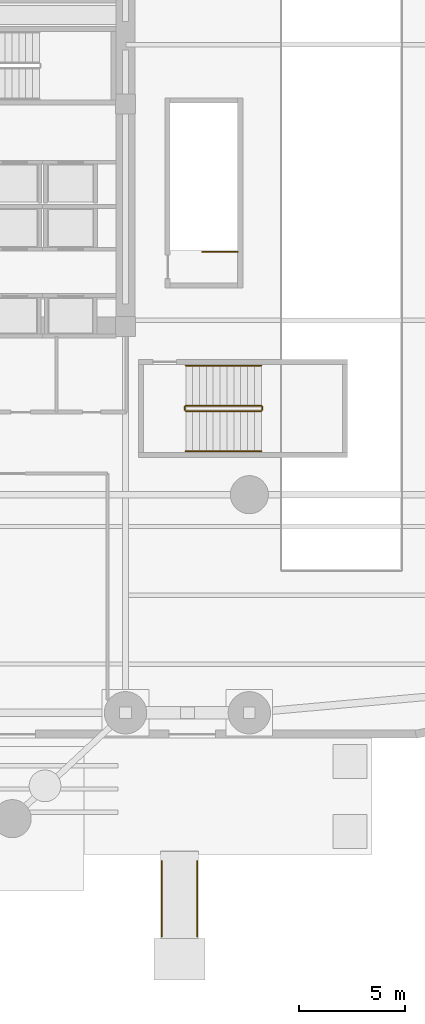
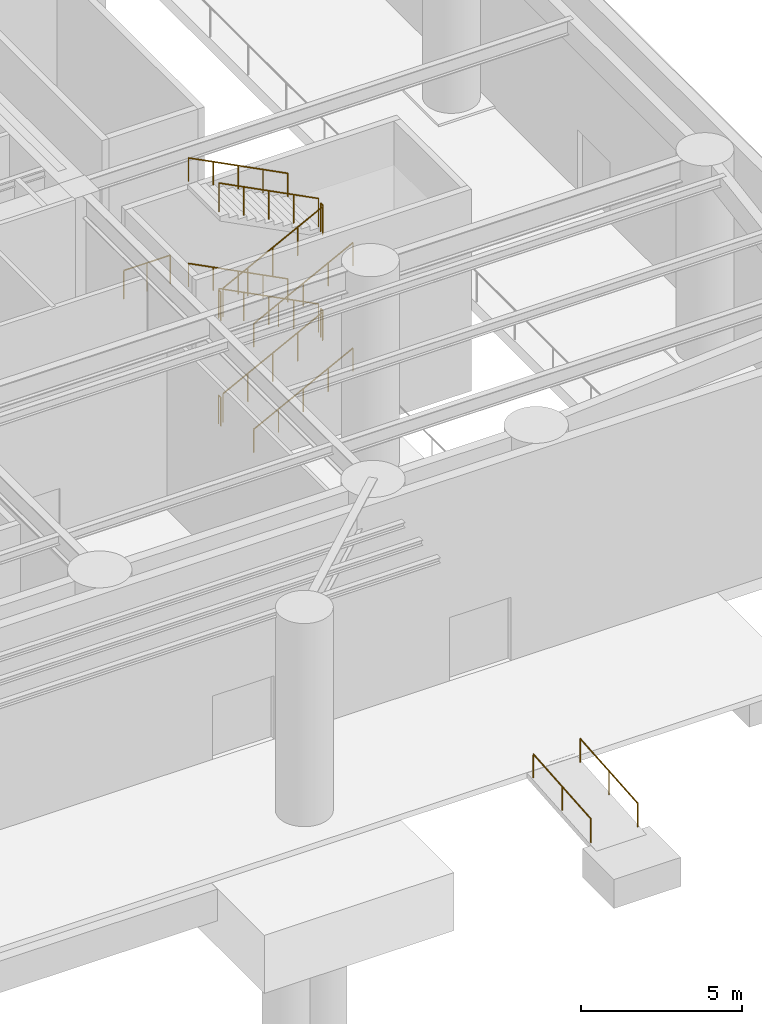
# One storey, part 21 of 25: 15 railings.
"""IFC4 building model written with IfcOpenShell, lengths in metres."""

from ifc_helpers import new_model, si_unit, direction, frame, origin, origin_2d, place, context, subcontext, project, spatial, circle, extrude, material, type_object, element, save


model = new_model("IFC4")

# Units and contexts
model_context = context("Model", 3, precision=1e-05, world=origin(), true_north=direction((0.0, 1.0)))
body_context = subcontext(model_context, "Body", "Model", "MODEL_VIEW")
ifc_project = project(units=[si_unit("LENGTHUNIT", "METRE"), si_unit("AREAUNIT", "SQUARE_METRE"), si_unit("VOLUMEUNIT", "CUBIC_METRE"), si_unit("PLANEANGLEUNIT", "RADIAN"), si_unit("MASSUNIT", "GRAM", prefix="KILO")], contexts=[model_context])

# Site, building, storey
site_placement = place(None, origin())
site = spatial("IfcSite", under=ifc_project, at=site_placement, CompositionType="ELEMENT")
building_placement = place(site_placement, origin())
building = spatial("IfcBuilding", under=site, at=building_placement, Name="Kolvaren Arena Tower", CompositionType="ELEMENT")
storey_placement = place(building_placement, origin())
storey = spatial("IfcBuildingStorey", under=building, at=storey_placement, Name="L00", CompositionType="ELEMENT", Elevation=0.0)

# Railings
ifc_material_1 = material(Name="Painted galvanized steel", Category="steel")
railing_type_1 = type_object("IfcRailingType", Name="GUARD-ST-110", PredefinedType="GUARDRAIL", material=ifc_material_1)
railing_1_placement = place(storey_placement, frame((63.199951171875, 15.449951171875, 0.166748046875)))
element("IfcRailing", 1, at=railing_1_placement, inside=storey, type_object=railing_type_1, Name="L00 ST-A4 stair guard 1", PredefinedType="GUARDRAIL", context=body_context, shape_type="SweptSolid", body=[
    extrude(circle(Radius=0.02392578125, at=origin_2d()), frame((0.0, 0.0, 1.076171875), z_axis=(0.889251698267, 0.0, 0.45741820813), x_axis=(0.0, 1.0, 0.0)), (0.0, 0.0, 1.0), 4.0078125),
    extrude(circle(Radius=0.02099609375, at=origin_2d()), origin(), (0.0, 0.0, 1.0), 1.052001953125),
    extrude(circle(Radius=0.02099609375, at=origin_2d()), frame((0.89111328125, 0.0, 0.458251953125)), (0.0, 0.0, 1.0), 1.052001953125),
    extrude(circle(Radius=0.02099609375, at=origin_2d()), frame((1.781982421875, 0.0, 0.91650390625)), (0.0, 0.0, 1.0), 1.052001953125),
    extrude(circle(Radius=0.02099609375, at=origin_2d()), frame((2.6728515625, 0.0, 1.375)), (0.0, 0.0, 1.0), 1.052001953125),
    extrude(circle(Radius=0.02099609375, at=origin_2d()), frame((3.56396484375, 0.0, 1.833251953125)), (0.0, 0.0, 1.0), 1.052001953125),
])
railing_2_placement = place(storey_placement, frame((66.81396484375, 15.5, 2.0)))
element("IfcRailing", 2, at=railing_2_placement, inside=storey, type_object=railing_type_1, Name="L00 ST-A4 stair guard 2", PredefinedType="GUARDRAIL", context=body_context, shape_type="SweptSolid", body=[
    extrude(circle(Radius=0.02392578125, at=origin_2d()), frame((0.0, 0.0, 1.076171875), z_axis=(0.0, 1.0, 0.0), x_axis=(-1.0, 0.0, 0.0)), (0.0, 0.0, 1.0), 0.14990234375),
    extrude(circle(Radius=0.02099609375, at=origin_2d()), origin(), (0.0, 0.0, 1.0), 1.052001953125),
    extrude(circle(Radius=0.02099609375, at=origin_2d()), frame((0.0, 0.14990234375, 0.0)), (0.0, 0.0, 1.0), 1.052001953125),
])
railing_3_placement = place(storey_placement, frame((66.763916015625, 15.699951171875, 2.166748046875)))
element("IfcRailing", 3, at=railing_3_placement, inside=storey, type_object=railing_type_1, Name="L00 ST-A4 stair guard 3", PredefinedType="GUARDRAIL", context=body_context, shape_type="SweptSolid", body=[
    extrude(circle(Radius=0.02392578125, at=origin_2d()), frame((0.0, 0.0, 1.076171875), z_axis=(-0.889251698267, 0.0, 0.45741820813), x_axis=(0.0, -1.0, 0.0)), (0.0, 0.0, 1.0), 4.0078125),
    extrude(circle(Radius=0.02099609375, at=origin_2d()), origin(), (0.0, 0.0, 1.0), 1.052001953125),
    extrude(circle(Radius=0.02099609375, at=origin_2d()), frame((-0.89111328125, 0.0, 0.458251953125)), (0.0, 0.0, 1.0), 1.052001953125),
    extrude(circle(Radius=0.02099609375, at=origin_2d()), frame((-1.781982421875, 0.0, 0.91650390625)), (0.0, 0.0, 1.0), 1.052001953125),
    extrude(circle(Radius=0.02099609375, at=origin_2d()), frame((-2.6728515625, 0.0, 1.375)), (0.0, 0.0, 1.0), 1.052001953125),
    extrude(circle(Radius=0.02099609375, at=origin_2d()), frame((-3.56396484375, 0.0, 1.833251953125)), (0.0, 0.0, 1.0), 1.052001953125),
])
railing_4_placement = place(storey_placement, frame((63.14990234375, 15.5, 4.0)))
element("IfcRailing", 4, at=railing_4_placement, inside=storey, type_object=railing_type_1, Name="L00 ST-A4 stair guard 4", PredefinedType="GUARDRAIL", context=body_context, shape_type="SweptSolid", body=[
    extrude(circle(Radius=0.02392578125, at=origin_2d()), frame((0.0, 0.0, 1.076171875), z_axis=(0.0, 1.0, 0.0), x_axis=(-1.0, 0.0, 0.0)), (0.0, 0.0, 1.0), 0.14990234375),
    extrude(circle(Radius=0.02099609375, at=origin_2d()), origin(), (0.0, 0.0, 1.0), 1.052001953125),
    extrude(circle(Radius=0.02099609375, at=origin_2d()), frame((0.0, 0.14990234375, 0.0)), (0.0, 0.0, 1.0), 1.052001953125),
])
railing_5_placement = place(storey_placement, frame((63.199951171875, 15.449951171875, 4.166748046875)))
element("IfcRailing", 5, at=railing_5_placement, inside=storey, type_object=railing_type_1, Name="L00 ST-A4 stair guard 5", PredefinedType="GUARDRAIL", context=body_context, shape_type="SweptSolid", body=[
    extrude(circle(Radius=0.02392578125, at=origin_2d()), frame((0.0, 0.0, 1.076171875), z_axis=(0.889251698267, 0.0, 0.45741820813), x_axis=(0.0, 1.0, 0.0)), (0.0, 0.0, 1.0), 4.0078125),
    extrude(circle(Radius=0.02099609375, at=origin_2d()), origin(), (0.0, 0.0, 1.0), 1.052001953125),
    extrude(circle(Radius=0.02099609375, at=origin_2d()), frame((0.89111328125, 0.0, 0.458251953125)), (0.0, 0.0, 1.0), 1.052001953125),
    extrude(circle(Radius=0.02099609375, at=origin_2d()), frame((1.781982421875, 0.0, 0.91650390625)), (0.0, 0.0, 1.0), 1.052001953125),
    extrude(circle(Radius=0.02099609375, at=origin_2d()), frame((2.6728515625, 0.0, 1.375)), (0.0, 0.0, 1.0), 1.052001953125),
    extrude(circle(Radius=0.02099609375, at=origin_2d()), frame((3.56396484375, 0.0, 1.833251953125)), (0.0, 0.0, 1.0), 1.052001953125),
])
railing_6_placement = place(storey_placement, frame((66.81396484375, 15.5, 6.0)))
element("IfcRailing", 6, at=railing_6_placement, inside=storey, type_object=railing_type_1, Name="L00 ST-A4 stair guard 6", PredefinedType="GUARDRAIL", context=body_context, shape_type="SweptSolid", body=[
    extrude(circle(Radius=0.02392578125, at=origin_2d()), frame((0.0, 0.0, 1.076171875), z_axis=(0.0, 1.0, 0.0), x_axis=(-1.0, 0.0, 0.0)), (0.0, 0.0, 1.0), 0.14990234375),
    extrude(circle(Radius=0.02099609375, at=origin_2d()), origin(), (0.0, 0.0, 1.0), 1.052001953125),
    extrude(circle(Radius=0.02099609375, at=origin_2d()), frame((0.0, 0.14990234375, 0.0)), (0.0, 0.0, 1.0), 1.052001953125),
])
railing_7_placement = place(storey_placement, frame((66.763916015625, 15.699951171875, 6.166748046875)))
element("IfcRailing", 7, at=railing_7_placement, inside=storey, type_object=railing_type_1, Name="L00 ST-A4 stair guard 7", PredefinedType="GUARDRAIL", context=body_context, shape_type="SweptSolid", body=[
    extrude(circle(Radius=0.02392578125, at=origin_2d()), frame((0.0, 0.0, 1.076171875), z_axis=(-0.889251698267, 0.0, 0.45741820813), x_axis=(0.0, -1.0, 0.0)), (0.0, 0.0, 1.0), 4.0078125),
    extrude(circle(Radius=0.02099609375, at=origin_2d()), origin(), (0.0, 0.0, 1.0), 1.052001953125),
    extrude(circle(Radius=0.02099609375, at=origin_2d()), frame((-0.89111328125, 0.0, 0.458251953125)), (0.0, 0.0, 1.0), 1.052001953125),
    extrude(circle(Radius=0.02099609375, at=origin_2d()), frame((-1.781982421875, 0.0, 0.91650390625)), (0.0, 0.0, 1.0), 1.052001953125),
    extrude(circle(Radius=0.02099609375, at=origin_2d()), frame((-2.6728515625, 0.0, 1.375)), (0.0, 0.0, 1.0), 1.052001953125),
    extrude(circle(Radius=0.02099609375, at=origin_2d()), frame((-3.56396484375, 0.0, 1.833251953125)), (0.0, 0.0, 1.0), 1.052001953125),
])
railing_8_placement = place(storey_placement, frame((63.14990234375, 15.5, 0.0)))
element("IfcRailing", 8, at=railing_8_placement, inside=storey, type_object=railing_type_1, Name="L00 ST-A4 stair guard 8", PredefinedType="GUARDRAIL", context=body_context, shape_type="SweptSolid", body=[
    extrude(circle(Radius=0.02392578125, at=origin_2d()), frame((0.0, 0.0, 1.076171875), z_axis=(0.0, 1.0, 0.0), x_axis=(-1.0, 0.0, 0.0)), (0.0, 0.0, 1.0), 0.14990234375),
    extrude(circle(Radius=0.02099609375, at=origin_2d()), origin(), (0.0, 0.0, 1.0), 1.052001953125),
    extrude(circle(Radius=0.02099609375, at=origin_2d()), frame((0.0, 0.14990234375, 0.0)), (0.0, 0.0, 1.0), 1.052001953125),
])
railing_9_placement = place(storey_placement, frame((65.64990234375, 22.969970703125, 0.0)))
element("IfcRailing", 9, at=railing_9_placement, inside=storey, type_object=railing_type_1, Name="L00 ST-B2 top well guard 1", PredefinedType="GUARDRAIL", context=body_context, shape_type="SweptSolid", body=[
    extrude(circle(Radius=0.02392578125, at=origin_2d()), frame((0.0, 0.0, 1.076171875), z_axis=(-1.0, 0.0, 0.0), x_axis=(0.0, -1.0, 0.0)), (0.0, 0.0, 1.0), 1.669921875),
    extrude(circle(Radius=0.02099609375, at=origin_2d()), origin(), (0.0, 0.0, 1.0), 1.052001953125),
    extrude(circle(Radius=0.02099609375, at=origin_2d()), frame((-0.8349609375, 0.0, 0.0)), (0.0, 0.0, 1.0), 1.052001953125),
    extrude(circle(Radius=0.02099609375, at=origin_2d()), frame((-1.669921875, 0.0, 0.0)), (0.0, 0.0, 1.0), 1.052001953125),
])
ifc_material_2 = material(Name="Brushed stainless steel handrail", Category="steel")
railing_type_2 = type_object("IfcRailingType", Name="HRAIL-900", PredefinedType="HANDRAIL", material=ifc_material_2)
for number, where, name in (
    (10, (62.06005859375, -9.3701171875, -0.322509765625), "Barrier-Free Ramp Handrail BR-03"),
    (11, (63.739990234375, -9.3701171875, -0.322509765625), "Barrier-Free Ramp Handrail BR-03"),
):
    element("IfcRailing", number, at=place(storey_placement, frame(where)), inside=storey, type_object=railing_type_2, Name=name, PredefinedType="HANDRAIL", context=body_context, shape_type="SweptSolid", body=[
        extrude(circle(Radius=0.02392578125, at=origin_2d()), frame((0.0, 0.0, 0.89599609375), z_axis=(0.0, 0.996830649407, 0.079552852893), x_axis=(-1.0, 0.0, 0.0)), (0.0, 0.0, 1.0), 3.581298828125),
        extrude(circle(Radius=0.02099609375, at=origin_2d()), origin(), (0.0, 0.0, 1.0), 0.871826171875),
        extrude(circle(Radius=0.02099609375, at=origin_2d()), frame((0.0, 1.78515625, 0.142578125)), (0.0, 0.0, 1.0), 0.871826171875),
        extrude(circle(Radius=0.02099609375, at=origin_2d()), frame((0.0, 3.570068359375, 0.284912109375)), (0.0, 0.0, 1.0), 0.871826171875),
    ])
railing_10_placement = place(storey_placement, frame((63.199951171875, 13.550048828125, 0.166748046875)))
element("IfcRailing", 12, at=railing_10_placement, inside=storey, type_object=railing_type_2, Name="L00 ST-A4 stair handrail 1", PredefinedType="HANDRAIL", context=body_context, shape_type="SweptSolid", body=[
    extrude(circle(Radius=0.02392578125, at=origin_2d()), frame((0.0, 0.0, 0.8759765625), z_axis=(0.889251698267, 0.0, 0.45741820813), x_axis=(0.0, 1.0, 0.0)), (0.0, 0.0, 1.0), 4.0078125),
    extrude(circle(Radius=0.02099609375, at=origin_2d()), origin(), (0.0, 0.0, 1.0), 0.851806640625),
    extrude(circle(Radius=0.02099609375, at=origin_2d()), frame((0.89111328125, 0.0, 0.458251953125)), (0.0, 0.0, 1.0), 0.851806640625),
    extrude(circle(Radius=0.02099609375, at=origin_2d()), frame((1.781982421875, 0.0, 0.91650390625)), (0.0, 0.0, 1.0), 0.851806640625),
    extrude(circle(Radius=0.02099609375, at=origin_2d()), frame((2.6728515625, 0.0, 1.375)), (0.0, 0.0, 1.0), 0.851806640625),
    extrude(circle(Radius=0.02099609375, at=origin_2d()), frame((3.56396484375, 0.0, 1.833251953125)), (0.0, 0.0, 1.0), 0.851806640625),
])
railing_11_placement = place(storey_placement, frame((66.763916015625, 17.60009765625, 2.166748046875)))
element("IfcRailing", 13, at=railing_11_placement, inside=storey, type_object=railing_type_2, Name="L00 ST-A4 stair handrail 2", PredefinedType="HANDRAIL", context=body_context, shape_type="SweptSolid", body=[
    extrude(circle(Radius=0.02392578125, at=origin_2d()), frame((0.0, 0.0, 0.8759765625), z_axis=(-0.889251698267, 0.0, 0.45741820813), x_axis=(0.0, -1.0, 0.0)), (0.0, 0.0, 1.0), 4.0078125),
    extrude(circle(Radius=0.02099609375, at=origin_2d()), origin(), (0.0, 0.0, 1.0), 0.851806640625),
    extrude(circle(Radius=0.02099609375, at=origin_2d()), frame((-0.89111328125, 0.0, 0.458251953125)), (0.0, 0.0, 1.0), 0.851806640625),
    extrude(circle(Radius=0.02099609375, at=origin_2d()), frame((-1.781982421875, 0.0, 0.91650390625)), (0.0, 0.0, 1.0), 0.851806640625),
    extrude(circle(Radius=0.02099609375, at=origin_2d()), frame((-2.6728515625, 0.0, 1.375)), (0.0, 0.0, 1.0), 0.851806640625),
    extrude(circle(Radius=0.02099609375, at=origin_2d()), frame((-3.56396484375, 0.0, 1.833251953125)), (0.0, 0.0, 1.0), 0.851806640625),
])
railing_12_placement = place(storey_placement, frame((63.199951171875, 13.550048828125, 4.166748046875)))
element("IfcRailing", 14, at=railing_12_placement, inside=storey, type_object=railing_type_2, Name="L00 ST-A4 stair handrail 3", PredefinedType="HANDRAIL", context=body_context, shape_type="SweptSolid", body=[
    extrude(circle(Radius=0.02392578125, at=origin_2d()), frame((0.0, 0.0, 0.8759765625), z_axis=(0.889251698267, 0.0, 0.45741820813), x_axis=(0.0, 1.0, 0.0)), (0.0, 0.0, 1.0), 4.0078125),
    extrude(circle(Radius=0.02099609375, at=origin_2d()), origin(), (0.0, 0.0, 1.0), 0.851806640625),
    extrude(circle(Radius=0.02099609375, at=origin_2d()), frame((0.89111328125, 0.0, 0.458251953125)), (0.0, 0.0, 1.0), 0.851806640625),
    extrude(circle(Radius=0.02099609375, at=origin_2d()), frame((1.781982421875, 0.0, 0.91650390625)), (0.0, 0.0, 1.0), 0.851806640625),
    extrude(circle(Radius=0.02099609375, at=origin_2d()), frame((2.6728515625, 0.0, 1.375)), (0.0, 0.0, 1.0), 0.851806640625),
    extrude(circle(Radius=0.02099609375, at=origin_2d()), frame((3.56396484375, 0.0, 1.833251953125)), (0.0, 0.0, 1.0), 0.851806640625),
])
railing_13_placement = place(storey_placement, frame((66.763916015625, 17.60009765625, 6.166748046875)))
element("IfcRailing", 15, at=railing_13_placement, inside=storey, type_object=railing_type_2, Name="L00 ST-A4 stair handrail 4", PredefinedType="HANDRAIL", context=body_context, shape_type="SweptSolid", body=[
    extrude(circle(Radius=0.02392578125, at=origin_2d()), frame((0.0, 0.0, 0.8759765625), z_axis=(-0.889251698267, 0.0, 0.45741820813), x_axis=(0.0, -1.0, 0.0)), (0.0, 0.0, 1.0), 4.0078125),
    extrude(circle(Radius=0.02099609375, at=origin_2d()), origin(), (0.0, 0.0, 1.0), 0.851806640625),
    extrude(circle(Radius=0.02099609375, at=origin_2d()), frame((-0.89111328125, 0.0, 0.458251953125)), (0.0, 0.0, 1.0), 0.851806640625),
    extrude(circle(Radius=0.02099609375, at=origin_2d()), frame((-1.781982421875, 0.0, 0.91650390625)), (0.0, 0.0, 1.0), 0.851806640625),
    extrude(circle(Radius=0.02099609375, at=origin_2d()), frame((-2.6728515625, 0.0, 1.375)), (0.0, 0.0, 1.0), 0.851806640625),
    extrude(circle(Radius=0.02099609375, at=origin_2d()), frame((-3.56396484375, 0.0, 1.833251953125)), (0.0, 0.0, 1.0), 0.851806640625),
])

save(model, "model.ifc")
